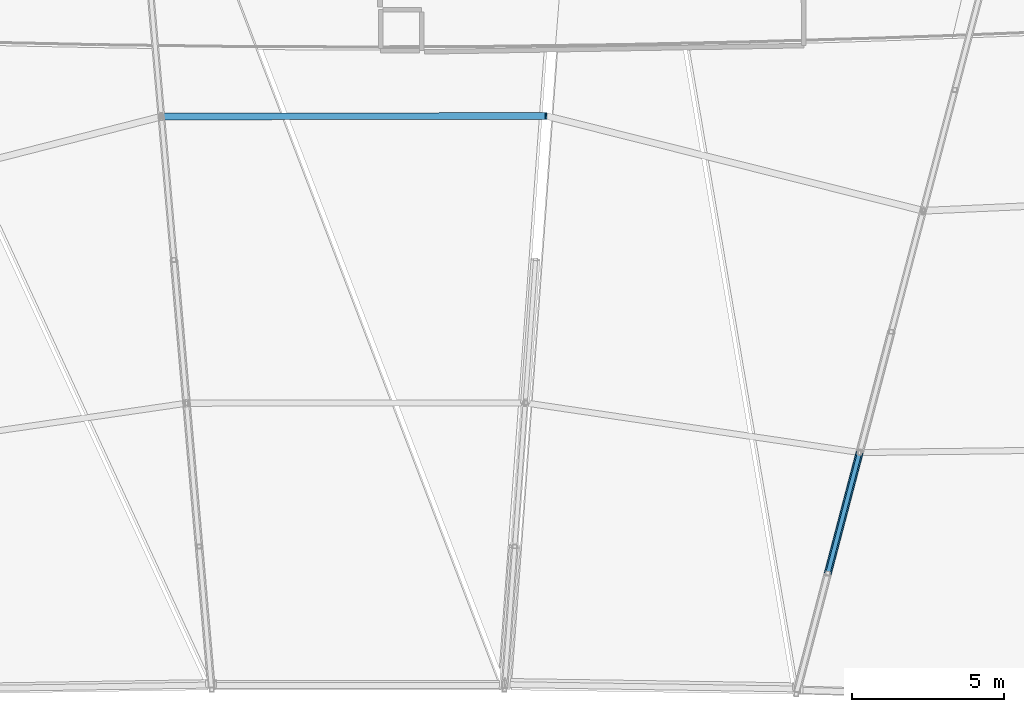
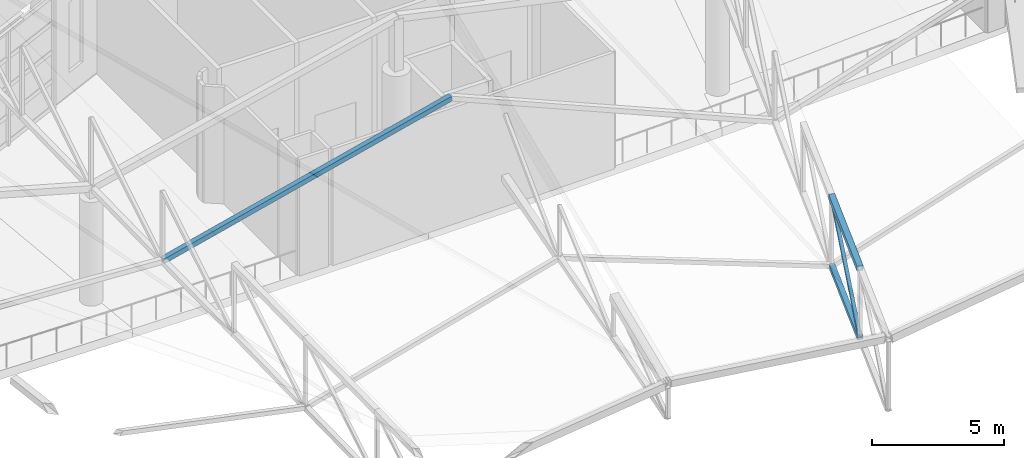
# One storey, part 154 of 344: 4 members.
"""IFC4 building model written with IfcOpenShell, lengths in metres."""

import ifcopenshell
import ifcopenshell.guid

model = None  # the IFC model being written
_history = None  # IfcOwnerHistory: only IFC2X3 demands one
_inside = {}  # id of a spatial element -> (the spatial element, [elements in it])
_under = {}  # id of a project, library or spatial element -> (it, [spatial elements below it])
_declared = {}  # id of a project -> (the project, [libraries it declares])
_typed = {}  # id of a type object -> (the type object, [elements of that type])
_made_of = {}  # id of a material, layer set ... -> (it, [elements and type objects made of it])


def new_model(schema):
    """Start an empty IFC model of exactly this schema.

    Asked for "IFC4X3", IfcOpenShell would pick the latest addendum, in which some entities
    have other attributes; the version numbers below select the first issue.
    IFC2X3 requires an IfcOwnerHistory on every rooted entity: one is made here for all.
    """
    global model, _history
    if schema == "IFC4X3":
        model = ifcopenshell.file(schema_version=(4, 3, 0, 0))
    else:
        model = ifcopenshell.file(schema=schema)
    _inside.clear()
    _under.clear()
    _declared.clear()
    _typed.clear()
    _made_of.clear()
    _history = None
    if model.schema == "IFC2X3":
        org = make("IfcOrganization", Name="unknown")
        user = make(
            "IfcPersonAndOrganization",
            ThePerson=make("IfcPerson", FamilyName="unknown"),
            TheOrganization=org,
        )
        app = make(
            "IfcApplication",
            ApplicationDeveloper=org,
            Version="unknown",
            ApplicationFullName="unknown",
            ApplicationIdentifier="unknown",
        )
        _history = make(
            "IfcOwnerHistory",
            OwningUser=user,
            OwningApplication=app,
            ChangeAction="ADDED",
            CreationDate=0,
        )
    return model


def make(cls, **values):
    """One entity of the class cls with the attributes given. An attribute that is None is left unset."""
    return model.create_entity(
        cls, **{name: value for name, value in values.items() if value is not None}
    )


def rooted(cls, **values):
    """An entity with a GlobalId (a new one), such as an element, a storey or a relation."""
    return make(cls, GlobalId=ifcopenshell.guid.new(), OwnerHistory=_history, **values)


def si_unit(unit_type, name, prefix=None):
    """IfcSIUnit, for example si_unit("LENGTHUNIT", "METRE", prefix="MILLI")."""
    return make("IfcSIUnit", UnitType=unit_type, Prefix=prefix, Name=name)


def assignment(units):
    """IfcUnitAssignment: the units of a project."""
    return None if units is None else make("IfcUnitAssignment", Units=units)


def point(xyz):
    """IfcCartesianPoint."""
    return None if xyz is None else make("IfcCartesianPoint", Coordinates=xyz)


def direction(xyz):
    """IfcDirection."""
    return None if xyz is None else make("IfcDirection", DirectionRatios=xyz)


def frame(location, z_axis=None, x_axis=None):
    """IfcAxis2Placement3D, a coordinate frame: its origin and axes. An axis left out is left unset."""
    return make(
        "IfcAxis2Placement3D",
        Location=point(location),
        Axis=direction(z_axis),
        RefDirection=direction(x_axis),
    )


def frame_2d(location, x_axis=None):
    """IfcAxis2Placement2D, a coordinate frame in the plane: its origin and x axis."""
    return make(
        "IfcAxis2Placement2D", Location=point(location), RefDirection=direction(x_axis)
    )


def origin():
    """The frame at (0, 0, 0) with its axes left unset."""
    return frame((0.0, 0.0, 0.0))


def origin_2d():
    """The frame at (0, 0) in the plane with its x axis left unset."""
    return frame_2d((0.0, 0.0))


def place(relative_to, where):
    """IfcLocalPlacement: puts the frame where relative to a parent placement (None: the world)."""
    return make(
        "IfcLocalPlacement", PlacementRelTo=relative_to, RelativePlacement=where
    )


def context(
    kind, dimensions, precision=None, world=None, true_north=None, identifier=None
):
    """IfcGeometricRepresentationContext, for example the 3D "Model" context."""
    return make(
        "IfcGeometricRepresentationContext",
        ContextIdentifier=identifier,
        ContextType=kind,
        CoordinateSpaceDimension=dimensions,
        Precision=precision,
        WorldCoordinateSystem=world,
        TrueNorth=true_north,
    )


def subcontext(parent, identifier, kind, view, scale=None):
    """IfcGeometricRepresentationSubContext, for example "Body" below "Model"."""
    return make(
        "IfcGeometricRepresentationSubContext",
        ContextIdentifier=identifier,
        ContextType=kind,
        ParentContext=parent,
        TargetScale=scale,
        TargetView=view,
    )


def project(units=None, contexts=None):
    """IfcProject with its units and contexts."""
    return rooted(
        "IfcProject",
        Name="project",
        RepresentationContexts=contexts,
        UnitsInContext=assignment(units),
    )


def spatial(cls, under=None, at=None, **own):
    """A site, building, storey or space (cls), placed at a placement, below another one or the project."""
    s = rooted(cls, ObjectPlacement=at, **own)
    if under is not None:
        _under.setdefault(under.id(), (under, []))[1].append(s)
    return s


def profile(cls, at=None, kind="AREA", **sizes):
    """A parametric profile (cls). Its sizes go by their IFC names, for example OverallWidth=200.0."""
    return make(cls, ProfileType=kind, Position=at, **sizes)


def hollow_rectangle(**sizes):
    """IfcRectangleHollowProfileDef."""
    return profile("IfcRectangleHollowProfileDef", **sizes)


def extrude(swept, where, along, depth):
    """IfcExtrudedAreaSolid: the profile swept, set in the frame where, extruded along a direction by depth."""
    return make(
        "IfcExtrudedAreaSolid",
        SweptArea=swept,
        Position=where,
        ExtrudedDirection=direction(along),
        Depth=depth,
    )


def shape(context_of_items, identifier, shape_type, items):
    """IfcShapeRepresentation: the items that make up one representation, for example the "Body"."""
    return make(
        "IfcShapeRepresentation",
        ContextOfItems=context_of_items,
        RepresentationIdentifier=identifier,
        RepresentationType=shape_type,
        Items=items,
    )


def material(Name=None, Category=None):
    """IfcMaterial."""
    return make("IfcMaterial", Name=Name, Category=Category)


def material_profile(
    of_material, cross_section, Name=None, Category=None, Priority=None
):
    """IfcMaterialProfile: a cross section and its material."""
    return make(
        "IfcMaterialProfile",
        Name=Name,
        Material=of_material,
        Profile=cross_section,
        Priority=Priority,
        Category=Category,
    )


def profile_set(profiles, Name=None, composite=None):
    """IfcMaterialProfileSet."""
    return make(
        "IfcMaterialProfileSet",
        Name=Name,
        MaterialProfiles=profiles,
        CompositeProfile=composite,
    )


def made_of(thing, what):
    """Note that an element or type object is made of a material, layer set ...; save() writes the relation."""
    if what is not None:
        _made_of.setdefault(what.id(), (what, []))[1].append(thing)
    return thing


def type_object(cls, material=None, **own):
    """A type object (cls), such as IfcWallType, which elements share."""
    return made_of(rooted(cls, **own), material)


def element(
    cls,
    number,
    at=None,
    inside=None,
    cuts=None,
    type_object=None,
    material=None,
    context=None,
    identifier="Body",
    shape_type=None,
    held_by="IfcProductDefinitionShape",
    body=None,
    shapes=None,
    **own,
):
    """One element of the class cls, such as IfcWall. Its Tag is "e" and its number.

    at: its placement. inside: the storey or other place that contains it. cuts: it is an
    opening in that element (IfcRelVoidsElement). A single representation is given by context,
    identifier, shape_type and body (its items); several are given by shapes. held_by: the class
    of the entity that holds the representations. save() writes the other relations.
    """
    e = rooted(cls, Tag="e%d" % number, ObjectPlacement=at, **own)
    if body is not None:
        shapes = [shape(context, identifier, shape_type, body)]
    if shapes is not None:
        e.Representation = make(held_by, Representations=shapes)
    if inside is not None:
        _inside.setdefault(inside.id(), (inside, []))[1].append(e)
    if cuts is not None:
        rooted(
            "IfcRelVoidsElement", RelatingBuildingElement=cuts, RelatedOpeningElement=e
        )
    if type_object is not None:
        _typed.setdefault(type_object.id(), (type_object, []))[1].append(e)
    return made_of(e, material)


def aggregate(whole, parts):
    """IfcRelAggregates: a whole, such as a stair, and the parts it consists of."""
    return rooted("IfcRelAggregates", RelatingObject=whole, RelatedObjects=parts)


def save(model, path):
    """Write the relations noted so far, then the file.

    IfcRelAggregates (storeys below a building ...), IfcRelContainedInSpatialStructure (elements
    in a storey), IfcRelDefinesByType, IfcRelAssociatesMaterial and IfcRelDeclares: one each for
    every whole, place, type object, material and project.
    """
    for whole, parts in _under.values():
        aggregate(whole, parts)
    for where, things in _inside.values():
        rooted(
            "IfcRelContainedInSpatialStructure",
            RelatedElements=things,
            RelatingStructure=where,
        )
    for kind, things in _typed.values():
        rooted("IfcRelDefinesByType", RelatedObjects=things, RelatingType=kind)
    for what, things in _made_of.values():
        rooted("IfcRelAssociatesMaterial", RelatedObjects=things, RelatingMaterial=what)
    for by, libraries in _declared.values():
        rooted("IfcRelDeclares", RelatingContext=by, RelatedDefinitions=libraries)
    model.write(path)


model = new_model("IFC4")

# Units and contexts
model_context = context("Model", 3, precision=1e-05, world=origin(), true_north=direction((0.0, 1.0)))
body_context = subcontext(model_context, "Body", "Model", "MODEL_VIEW")
ifc_project = project(units=[si_unit("LENGTHUNIT", "METRE"), si_unit("AREAUNIT", "SQUARE_METRE"), si_unit("VOLUMEUNIT", "CUBIC_METRE"), si_unit("PLANEANGLEUNIT", "RADIAN"), si_unit("MASSUNIT", "GRAM", prefix="KILO")], contexts=[model_context])

# Site, building, storey
site_placement = place(None, origin())
site = spatial("IfcSite", under=ifc_project, at=site_placement, CompositionType="ELEMENT")
building_placement = place(site_placement, origin())
building = spatial("IfcBuilding", under=site, at=building_placement, Name="Meseta Stadium", CompositionType="ELEMENT")
storey_placement = place(building_placement, frame((0.0, 0.0, 24.0)))
storey = spatial("IfcBuildingStorey", under=building, at=storey_placement, Name="L04", CompositionType="ELEMENT", Elevation=24.0)

# Members
ifc_material_1 = material(Name="Steel S355", Category="steel")
ifc_material_profile_1 = material_profile(ifc_material_1, hollow_rectangle(XDim=0.139892578125, YDim=0.139892578125, WallThickness=0.0048828125, at=origin_2d()), Name="SHS 140x140x5")
ifc_profile_set_1 = profile_set([ifc_material_profile_1], Name="Steel S355")
member_type_1 = type_object("IfcMemberType", Name="SHS 140x140x5 diagonal", PredefinedType="BRACE", material=ifc_profile_set_1)
member_1_placement = place(storey_placement, frame((15.43310546875, 69.806640625, 2.37890625), z_axis=(0.18709073138, 0.711978091031, 0.676819219676), x_axis=(-0.967165386929, 0.254147819836, 0.0)))
element("IfcMember", 1, at=member_1_placement, inside=storey, type_object=member_type_1, Name="ROOF TRUSS RT-17 diagonal", PredefinedType="BRACE", context=body_context, shape_type="SweptSolid", body=[
    extrude(hollow_rectangle(XDim=0.139892578125, YDim=0.139892578125, WallThickness=0.0048828125, at=origin_2d()), origin(), (0.0, 0.0, 1.0), 5.575927734375),
])
ifc_material_2 = material(Name="Steel S355", Category="steel")
ifc_material_profile_2 = material_profile(ifc_material_2, hollow_rectangle(XDim=0.219970703125, YDim=0.219970703125, WallThickness=0.008056640625, at=origin_2d()), Name="SHS 220x220x8")
ifc_profile_set_2 = profile_set([ifc_material_profile_2], Name="Steel S355")
member_type_2 = type_object("IfcMemberType", Name="SHS 220x220x8 bottom chord", PredefinedType="CHORD", material=ifc_profile_set_2)
member_2_placement = place(storey_placement, frame((15.43310546875, 69.806640625, 2.37890625), z_axis=(0.251701056282, 0.957854171823, 0.138426745205), x_axis=(-0.967165386929, 0.254147819836, 0.0)))
element("IfcMember", 2, at=member_2_placement, inside=storey, type_object=member_type_2, Name="ROOF TRUSS RT-17 bottom chord", PredefinedType="CHORD", context=body_context, shape_type="SweptSolid", body=[
    extrude(hollow_rectangle(XDim=0.219970703125, YDim=0.219970703125, WallThickness=0.008056640625, at=origin_2d()), origin(), (0.0, 0.0, 1.0), 4.14453125),
])
ifc_material_3 = material(Name="Steel S355", Category="steel")
ifc_material_profile_3 = material_profile(ifc_material_3, hollow_rectangle(XDim=0.219970703125, YDim=0.219970703125, WallThickness=0.008056640625, at=origin_2d()), Name="SHS 220x220x8")
ifc_profile_set_3 = profile_set([ifc_material_profile_3], Name="Steel S355")
member_type_3 = type_object("IfcMemberType", Name="SHS 220x220x8 strut", PredefinedType="STRUT", material=ifc_profile_set_3)
member_3_placement = place(storey_placement, frame((6.17529296875, 84.83349609375, 7.644287109375), z_axis=(-0.970828995591, -0.00176354041, -0.239766451459), x_axis=(0.00181652743, -0.999998350113, 0.0)))
element("IfcMember", 3, at=member_3_placement, inside=storey, type_object=member_type_3, Name="ROOF TRUSS STRUT RT-18/19", PredefinedType="STRUT", context=body_context, shape_type="SweptSolid", body=[
    extrude(hollow_rectangle(XDim=0.219970703125, YDim=0.219970703125, WallThickness=0.008056640625, at=origin_2d()), origin(), (0.0, 0.0, 1.0), 13.01318359375),
])
ifc_material_4 = material(Name="Steel S355", Category="steel")
ifc_material_profile_4 = material_profile(ifc_material_4, hollow_rectangle(XDim=0.25, YDim=0.25, WallThickness=0.010009765625, at=origin_2d()), Name="SHS 250x250x10")
ifc_profile_set_4 = profile_set([ifc_material_profile_4], Name="Steel S355")
member_type_4 = type_object("IfcMemberType", Name="SHS 250x250x10 top chord", PredefinedType="CHORD", material=ifc_profile_set_4)
member_4_placement = place(storey_placement, frame((15.43310546875, 69.806640625, 5.5791015625), z_axis=(0.251701056282, 0.957854171823, 0.138426745205), x_axis=(-0.967165386929, 0.254147819836, 0.0)))
element("IfcMember", 4, at=member_4_placement, inside=storey, type_object=member_type_4, Name="ROOF TRUSS RT-17 top chord", PredefinedType="CHORD", context=body_context, shape_type="SweptSolid", body=[
    extrude(hollow_rectangle(XDim=0.25, YDim=0.25, WallThickness=0.010009765625, at=origin_2d()), origin(), (0.0, 0.0, 1.0), 4.14453125),
])

save(model, "model.ifc")
